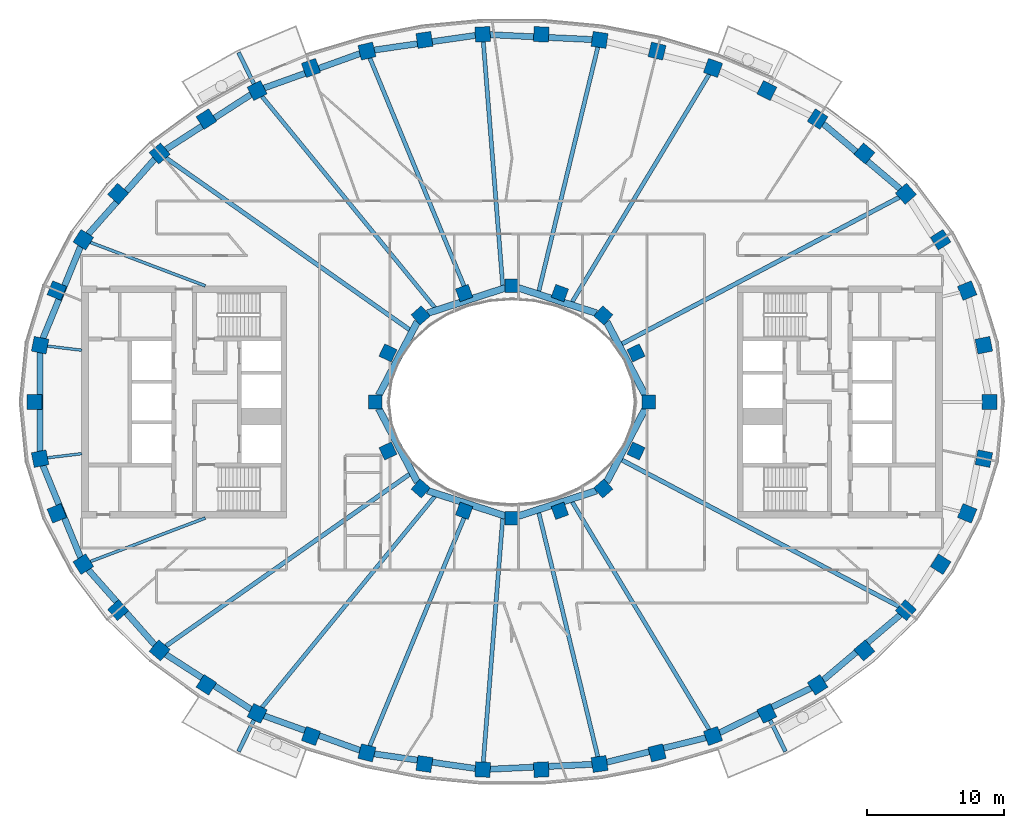
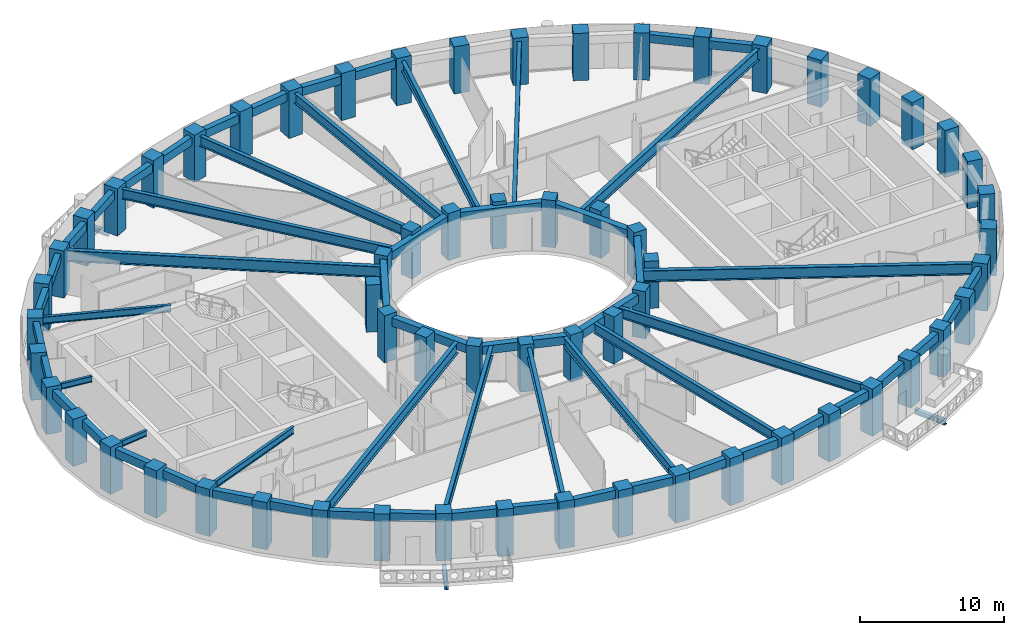
# One storey, part 1 of 15: 62 columns, 46 beams.
"""IFC4 building model written with IfcOpenShell, lengths in metres."""

import ifcopenshell
import ifcopenshell.guid

model = None  # the IFC model being written
_history = None  # IfcOwnerHistory: only IFC2X3 demands one
_inside = {}  # id of a spatial element -> (the spatial element, [elements in it])
_under = {}  # id of a project, library or spatial element -> (it, [spatial elements below it])
_declared = {}  # id of a project -> (the project, [libraries it declares])
_typed = {}  # id of a type object -> (the type object, [elements of that type])
_made_of = {}  # id of a material, layer set ... -> (it, [elements and type objects made of it])


def new_model(schema):
    """Start an empty IFC model of exactly this schema.

    Asked for "IFC4X3", IfcOpenShell would pick the latest addendum, in which some entities
    have other attributes; the version numbers below select the first issue.
    IFC2X3 requires an IfcOwnerHistory on every rooted entity: one is made here for all.
    """
    global model, _history
    if schema == "IFC4X3":
        model = ifcopenshell.file(schema_version=(4, 3, 0, 0))
    else:
        model = ifcopenshell.file(schema=schema)
    _inside.clear()
    _under.clear()
    _declared.clear()
    _typed.clear()
    _made_of.clear()
    _history = None
    if model.schema == "IFC2X3":
        org = make("IfcOrganization", Name="unknown")
        user = make(
            "IfcPersonAndOrganization",
            ThePerson=make("IfcPerson", FamilyName="unknown"),
            TheOrganization=org,
        )
        app = make(
            "IfcApplication",
            ApplicationDeveloper=org,
            Version="unknown",
            ApplicationFullName="unknown",
            ApplicationIdentifier="unknown",
        )
        _history = make(
            "IfcOwnerHistory",
            OwningUser=user,
            OwningApplication=app,
            ChangeAction="ADDED",
            CreationDate=0,
        )
    return model


def make(cls, **values):
    """One entity of the class cls with the attributes given. An attribute that is None is left unset."""
    return model.create_entity(
        cls, **{name: value for name, value in values.items() if value is not None}
    )


def rooted(cls, **values):
    """An entity with a GlobalId (a new one), such as an element, a storey or a relation."""
    return make(cls, GlobalId=ifcopenshell.guid.new(), OwnerHistory=_history, **values)


def si_unit(unit_type, name, prefix=None):
    """IfcSIUnit, for example si_unit("LENGTHUNIT", "METRE", prefix="MILLI")."""
    return make("IfcSIUnit", UnitType=unit_type, Prefix=prefix, Name=name)


def assignment(units):
    """IfcUnitAssignment: the units of a project."""
    return None if units is None else make("IfcUnitAssignment", Units=units)


def point(xyz):
    """IfcCartesianPoint."""
    return None if xyz is None else make("IfcCartesianPoint", Coordinates=xyz)


def direction(xyz):
    """IfcDirection."""
    return None if xyz is None else make("IfcDirection", DirectionRatios=xyz)


def frame(location, z_axis=None, x_axis=None):
    """IfcAxis2Placement3D, a coordinate frame: its origin and axes. An axis left out is left unset."""
    return make(
        "IfcAxis2Placement3D",
        Location=point(location),
        Axis=direction(z_axis),
        RefDirection=direction(x_axis),
    )


def frame_2d(location, x_axis=None):
    """IfcAxis2Placement2D, a coordinate frame in the plane: its origin and x axis."""
    return make(
        "IfcAxis2Placement2D", Location=point(location), RefDirection=direction(x_axis)
    )


def origin():
    """The frame at (0, 0, 0) with its axes left unset."""
    return frame((0.0, 0.0, 0.0))


def origin_2d():
    """The frame at (0, 0) in the plane with its x axis left unset."""
    return frame_2d((0.0, 0.0))


def place(relative_to, where):
    """IfcLocalPlacement: puts the frame where relative to a parent placement (None: the world)."""
    return make(
        "IfcLocalPlacement", PlacementRelTo=relative_to, RelativePlacement=where
    )


def context(
    kind, dimensions, precision=None, world=None, true_north=None, identifier=None
):
    """IfcGeometricRepresentationContext, for example the 3D "Model" context."""
    return make(
        "IfcGeometricRepresentationContext",
        ContextIdentifier=identifier,
        ContextType=kind,
        CoordinateSpaceDimension=dimensions,
        Precision=precision,
        WorldCoordinateSystem=world,
        TrueNorth=true_north,
    )


def subcontext(parent, identifier, kind, view, scale=None):
    """IfcGeometricRepresentationSubContext, for example "Body" below "Model"."""
    return make(
        "IfcGeometricRepresentationSubContext",
        ContextIdentifier=identifier,
        ContextType=kind,
        ParentContext=parent,
        TargetScale=scale,
        TargetView=view,
    )


def project(units=None, contexts=None):
    """IfcProject with its units and contexts."""
    return rooted(
        "IfcProject",
        Name="project",
        RepresentationContexts=contexts,
        UnitsInContext=assignment(units),
    )


def spatial(cls, under=None, at=None, **own):
    """A site, building, storey or space (cls), placed at a placement, below another one or the project."""
    s = rooted(cls, ObjectPlacement=at, **own)
    if under is not None:
        _under.setdefault(under.id(), (under, []))[1].append(s)
    return s


def profile(cls, at=None, kind="AREA", **sizes):
    """A parametric profile (cls). Its sizes go by their IFC names, for example OverallWidth=200.0."""
    return make(cls, ProfileType=kind, Position=at, **sizes)


def rectangle(**sizes):
    """IfcRectangleProfileDef."""
    return profile("IfcRectangleProfileDef", **sizes)


def i_section(**sizes):
    """IfcIShapeProfileDef."""
    return profile("IfcIShapeProfileDef", **sizes)


def extrude(swept, where, along, depth):
    """IfcExtrudedAreaSolid: the profile swept, set in the frame where, extruded along a direction by depth."""
    return make(
        "IfcExtrudedAreaSolid",
        SweptArea=swept,
        Position=where,
        ExtrudedDirection=direction(along),
        Depth=depth,
    )


def shape(context_of_items, identifier, shape_type, items):
    """IfcShapeRepresentation: the items that make up one representation, for example the "Body"."""
    return make(
        "IfcShapeRepresentation",
        ContextOfItems=context_of_items,
        RepresentationIdentifier=identifier,
        RepresentationType=shape_type,
        Items=items,
    )


def material(Name=None, Category=None):
    """IfcMaterial."""
    return make("IfcMaterial", Name=Name, Category=Category)


def material_profile(
    of_material, cross_section, Name=None, Category=None, Priority=None
):
    """IfcMaterialProfile: a cross section and its material."""
    return make(
        "IfcMaterialProfile",
        Name=Name,
        Material=of_material,
        Profile=cross_section,
        Priority=Priority,
        Category=Category,
    )


def profile_set(profiles, Name=None, composite=None):
    """IfcMaterialProfileSet."""
    return make(
        "IfcMaterialProfileSet",
        Name=Name,
        MaterialProfiles=profiles,
        CompositeProfile=composite,
    )


def made_of(thing, what):
    """Note that an element or type object is made of a material, layer set ...; save() writes the relation."""
    if what is not None:
        _made_of.setdefault(what.id(), (what, []))[1].append(thing)
    return thing


def type_object(cls, material=None, **own):
    """A type object (cls), such as IfcWallType, which elements share."""
    return made_of(rooted(cls, **own), material)


def element(
    cls,
    number,
    at=None,
    inside=None,
    cuts=None,
    type_object=None,
    material=None,
    context=None,
    identifier="Body",
    shape_type=None,
    held_by="IfcProductDefinitionShape",
    body=None,
    shapes=None,
    **own,
):
    """One element of the class cls, such as IfcWall. Its Tag is "e" and its number.

    at: its placement. inside: the storey or other place that contains it. cuts: it is an
    opening in that element (IfcRelVoidsElement). A single representation is given by context,
    identifier, shape_type and body (its items); several are given by shapes. held_by: the class
    of the entity that holds the representations. save() writes the other relations.
    """
    e = rooted(cls, Tag="e%d" % number, ObjectPlacement=at, **own)
    if body is not None:
        shapes = [shape(context, identifier, shape_type, body)]
    if shapes is not None:
        e.Representation = make(held_by, Representations=shapes)
    if inside is not None:
        _inside.setdefault(inside.id(), (inside, []))[1].append(e)
    if cuts is not None:
        rooted(
            "IfcRelVoidsElement", RelatingBuildingElement=cuts, RelatedOpeningElement=e
        )
    if type_object is not None:
        _typed.setdefault(type_object.id(), (type_object, []))[1].append(e)
    return made_of(e, material)


def aggregate(whole, parts):
    """IfcRelAggregates: a whole, such as a stair, and the parts it consists of."""
    return rooted("IfcRelAggregates", RelatingObject=whole, RelatedObjects=parts)


def save(model, path):
    """Write the relations noted so far, then the file.

    IfcRelAggregates (storeys below a building ...), IfcRelContainedInSpatialStructure (elements
    in a storey), IfcRelDefinesByType, IfcRelAssociatesMaterial and IfcRelDeclares: one each for
    every whole, place, type object, material and project.
    """
    for whole, parts in _under.values():
        aggregate(whole, parts)
    for where, things in _inside.values():
        rooted(
            "IfcRelContainedInSpatialStructure",
            RelatedElements=things,
            RelatingStructure=where,
        )
    for kind, things in _typed.values():
        rooted("IfcRelDefinesByType", RelatedObjects=things, RelatingType=kind)
    for what, things in _made_of.values():
        rooted("IfcRelAssociatesMaterial", RelatedObjects=things, RelatingMaterial=what)
    for by, libraries in _declared.values():
        rooted("IfcRelDeclares", RelatingContext=by, RelatedDefinitions=libraries)
    model.write(path)


model = new_model("IFC4")

# Units and contexts
model_context = context("Model", 3, precision=1e-05, world=origin(), true_north=direction((0.0, 1.0)))
body_context = subcontext(model_context, "Body", "Model", "MODEL_VIEW")
ifc_project = project(units=[si_unit("LENGTHUNIT", "METRE"), si_unit("AREAUNIT", "SQUARE_METRE"), si_unit("VOLUMEUNIT", "CUBIC_METRE"), si_unit("PLANEANGLEUNIT", "RADIAN"), si_unit("MASSUNIT", "GRAM", prefix="KILO")], contexts=[model_context])

# Site, building, storey
site_placement = place(None, origin())
site = spatial("IfcSite", under=ifc_project, at=site_placement, CompositionType="ELEMENT")
building_placement = place(site_placement, origin())
building = spatial("IfcBuilding", under=site, at=building_placement, Name="Noorbagh Ring Tower", CompositionType="ELEMENT")
storey_placement = place(building_placement, frame((0.0, 0.0, 253.5)))
storey = spatial("IfcBuildingStorey", under=building, at=storey_placement, Name="L53", CompositionType="ELEMENT", Elevation=253.5)

# Columns
ifc_material_1 = material(Name="Concrete C60/75", Category="concrete")
ifc_material_profile_1 = material_profile(ifc_material_1, rectangle(XDim=1.10009765625, YDim=1.10009765625, at=origin_2d()), Name="RC1100x1100")
ifc_profile_set_1 = profile_set([ifc_material_profile_1], Name="Concrete C60/75")
column_type_1 = type_object("IfcColumnType", Name="STR-COL-RC1100x1100-C60-75", PredefinedType="COLUMN", material=ifc_profile_set_1)
for number, where, z_axis, x_axis, name in (
    (1, (34.944580078125, 0.0, 0.0), (0.0, 0.0, 1.0), (0.0, 1.0, 0.0), "L53/col/R1-01"),
    (2, (34.52685546875, 4.150634765625, 0.0), (0.0, 0.0, 1.0), (-0.19723040178, 0.9803571638, 0.0), "L53/col/R1-02"),
    (3, (33.30517578125, 8.1494140625, 0.0), (0.0, 0.0, 1.0), (-0.378989499959, 0.925400971969, 0.0), "L53/col/R1-03"),
    (4, (31.364990234375, 11.87109375, 0.0), (0.0, 0.0, 1.0), (-0.535190403059, 0.844731455833, 0.0), "L53/col/R1-04"),
    (5, (28.81884765625, 15.23046875, 0.0), (0.0, 0.0, 1.0), (-0.662635642662, 0.748941923699, 0.0), "L53/col/R1-05"),
    (6, (25.78271484375, 18.180419921875, 0.0), (0.0, 0.0, 1.0), (-0.763035199656, 0.646356932419, 0.0), "L53/col/R1-06"),
    (7, (22.362060546875, 20.699951171875, 0.0), (0.0, 0.0, 1.0), (-0.840247639643, 0.542202825586, 0.0), "L53/col/R1-07"),
    (8, (18.646240234375, 22.785400390625, 0.0), (0.0, 0.0, 1.0), (-0.898399080868, 0.439180021741, 0.0), "L53/col/R1-08"),
    (9, (14.70947265625, 24.44091796875, 0.0), (0.0, 0.0, 1.0), (-0.941024726094, 0.338337797003, 0.0), "L53/col/R1-09"),
    (10, (10.61328125, 25.673583984375, 0.0), (0.0, 0.0, 1.0), (-0.970829360981, 0.239771457553, 0.0), "L53/col/R1-10"),
    (11, (6.4091796875, 26.49072265625, 0.0), (0.0, 0.0, 1.0), (-0.989713114048, 0.143066249975, 0.0), "L53/col/R1-11"),
    (12, (2.14306640625, 26.89794921875, 0.0), (0.0, 0.0, 1.0), (-0.998868731212, 0.047552684538, 0.0), "L53/col/R1-12"),
    (13, (-2.14306640625, 26.89794921875, 0.0), (0.0, 0.0, 1.0), (-0.998868731212, -0.047552684538, 0.0), "L53/col/R1-13"),
    (14, (-6.4091796875, 26.49072265625, 0.0), (0.0, 0.0, 1.0), (-0.989713114048, -0.143066249975, 0.0), "L53/col/R1-14"),
    (15, (-10.61328125, 25.673583984375, 0.0), (0.0, 0.0, 1.0), (-0.970829360981, -0.239771457553, 0.0), "L53/col/R1-15"),
    (16, (-14.70947265625, 24.44091796875, 0.0), (0.0, 0.0, 1.0), (-0.941024726094, -0.338337797003, 0.0), "L53/col/R1-16"),
    (17, (-18.646240234375, 22.785400390625, 0.0), (0.0, 0.0, 1.0), (-0.898399080868, -0.439180021741, 0.0), "L53/col/R1-17"),
    (18, (-22.362060546875, 20.699951171875, 0.0), (0.0, 0.0, 1.0), (-0.840247639643, -0.542202825586, 0.0), "L53/col/R1-18"),
    (19, (-25.78271484375, 18.180419921875, 0.0), (0.0, 0.0, 1.0), (-0.763035199656, -0.646356932419, 0.0), "L53/col/R1-19"),
    (20, (-28.81884765625, 15.23046875, 0.0), (0.0, 0.0, 1.0), (-0.662635642662, -0.748941923699, 0.0), "L53/col/R1-20"),
    (21, (-31.364990234375, 11.87109375, 0.0), (0.0, 0.0, 1.0), (-0.535190403059, -0.844731455833, 0.0), "L53/col/R1-21"),
    (22, (-33.30517578125, 8.1494140625, 0.0), (0.0, 0.0, 1.0), (-0.378989499959, -0.925400971969, 0.0), "L53/col/R1-22"),
    (23, (-34.52685546875, 4.150634765625, 0.0), (0.0, 0.0, 1.0), (-0.19723040178, -0.9803571638, 0.0), "L53/col/R1-23"),
    (24, (-34.944580078125, 0.0, 0.0), (0.0, 0.0, 1.0), (0.0, -1.0, 0.0), "L53/col/R1-24"),
    (25, (-34.52685546875, -4.150634765625, 0.0), (0.0, 0.0, 1.0), (0.19723040178, -0.9803571638, 0.0), "L53/col/R1-25"),
    (26, (-33.30517578125, -8.1494140625, 0.0), (0.0, 0.0, 1.0), (0.378989499959, -0.925400971969, 0.0), "L53/col/R1-26"),
    (27, (-31.364990234375, -11.87109375, 0.0), (0.0, 0.0, 1.0), (0.535190403059, -0.844731455833, 0.0), "L53/col/R1-27"),
    (28, (-28.81884765625, -15.23046875, 0.0), (0.0, 0.0, 1.0), (0.662635642662, -0.748941923699, 0.0), "L53/col/R1-28"),
    (29, (-25.78271484375, -18.180419921875, 0.0), (0.0, 0.0, 1.0), (0.763035199656, -0.646356932419, 0.0), "L53/col/R1-29"),
    (30, (-22.362060546875, -20.699951171875, 0.0), (0.0, 0.0, 1.0), (0.840247639643, -0.542202825586, 0.0), "L53/col/R1-30"),
    (31, (-18.646240234375, -22.785400390625, 0.0), (0.0, 0.0, 1.0), (0.898399080868, -0.439180021741, 0.0), "L53/col/R1-31"),
    (32, (-14.70947265625, -24.44091796875, 0.0), (0.0, 0.0, 1.0), (0.941024726094, -0.338337797003, 0.0), "L53/col/R1-32"),
    (33, (-10.61328125, -25.673583984375, 0.0), (0.0, 0.0, 1.0), (0.970829360981, -0.239771457553, 0.0), "L53/col/R1-33"),
    (34, (-6.4091796875, -26.49072265625, 0.0), (0.0, 0.0, 1.0), (0.989713114048, -0.143066249975, 0.0), "L53/col/R1-34"),
    (35, (-2.14306640625, -26.89794921875, 0.0), (0.0, 0.0, 1.0), (0.998868731212, -0.047552684538, 0.0), "L53/col/R1-35"),
    (36, (2.14306640625, -26.89794921875, 0.0), (0.0, 0.0, 1.0), (0.998868731212, 0.047552684538, 0.0), "L53/col/R1-36"),
    (37, (6.4091796875, -26.49072265625, 0.0), (0.0, 0.0, 1.0), (0.989713114048, 0.143066249975, 0.0), "L53/col/R1-37"),
    (38, (10.61328125, -25.673583984375, 0.0), (0.0, 0.0, 1.0), (0.970829360981, 0.239771457553, 0.0), "L53/col/R1-38"),
    (39, (14.70947265625, -24.44091796875, 0.0), (0.0, 0.0, 1.0), (0.941024726094, 0.338337797003, 0.0), "L53/col/R1-39"),
    (40, (18.646240234375, -22.785400390625, 0.0), (0.0, 0.0, 1.0), (0.898399080868, 0.439180021741, 0.0), "L53/col/R1-40"),
    (41, (22.362060546875, -20.699951171875, 0.0), (0.0, 0.0, 1.0), (0.840247639643, 0.542202825586, 0.0), "L53/col/R1-41"),
    (42, (25.78271484375, -18.180419921875, 0.0), (0.0, 0.0, 1.0), (0.763035199656, 0.646356932419, 0.0), "L53/col/R1-42"),
    (43, (28.81884765625, -15.23046875, 0.0), (0.0, 0.0, 1.0), (0.662635642662, 0.748941923699, 0.0), "L53/col/R1-43"),
    (44, (31.364990234375, -11.87109375, 0.0), (0.0, 0.0, 1.0), (0.535190403059, 0.844731455833, 0.0), "L53/col/R1-44"),
    (45, (33.30517578125, -8.1494140625, 0.0), (0.0, 0.0, 1.0), (0.378989499959, 0.925400971969, 0.0), "L53/col/R1-45"),
    (46, (34.52685546875, -4.150634765625, 0.0), (0.0, 0.0, 1.0), (0.19723040178, 0.9803571638, 0.0), "L53/col/R1-46"),
):
    element("IfcColumn", number, at=place(storey_placement, frame(where, z_axis=z_axis, x_axis=x_axis)), inside=storey, type_object=column_type_1, Name=name, PredefinedType="COLUMN", context=body_context, shape_type="SweptSolid", body=[
        extrude(rectangle(XDim=1.10009765625, YDim=1.10009765625, at=origin_2d()), origin(), (0.0, 0.0, 1.0), 4.0),
    ])
ifc_material_2 = material(Name="Concrete C60/75", Category="concrete")
ifc_material_profile_2 = material_profile(ifc_material_2, rectangle(XDim=1.0, YDim=1.0, at=origin_2d()), Name="RC1000x1000")
ifc_profile_set_2 = profile_set([ifc_material_profile_2], Name="Concrete C60/75")
column_type_2 = type_object("IfcColumnType", Name="STR-ICOL-RC1000x1000-C60-75", PredefinedType="COLUMN", material=ifc_profile_set_2)
for number, where, z_axis, x_axis, name in (
    (47, (10.00830078125, 0.0, 0.0), (0.0, 0.0, 1.0), (0.0, 1.0, 0.0), "L53/col/IR2-W01"),
    (48, (9.07568359375, 3.58837890625, 0.0), (0.0, 0.0, 1.0), (-0.428666979171, 0.903462573087, 0.0), "L53/col/IR2-W03"),
    (49, (6.68212890625, 6.333740234375, 0.0), (0.0, 0.0, 1.0), (-0.75102249095, 0.660276622399, 0.0), "L53/col/IR2-W05"),
    (50, (3.5009765625, 7.967041015625, 0.0), (0.0, 0.0, 1.0), (-0.939019578916, 0.343863679984, 0.0), "L53/col/IR2-W07"),
    (51, (0.0, 8.5029296875, 0.0), (0.0, 0.0, 1.0), (-1.0, 0.0, 0.0), "L53/col/IR2-W09"),
    (52, (-3.5009765625, 7.967041015625, 0.0), (0.0, 0.0, 1.0), (-0.939019578916, -0.343863679984, 0.0), "L53/col/IR2-W11"),
    (53, (-6.68212890625, 6.333740234375, 0.0), (0.0, 0.0, 1.0), (-0.75102249095, -0.660276622399, 0.0), "L53/col/IR2-W13"),
    (54, (-9.07568359375, 3.58837890625, 0.0), (0.0, 0.0, 1.0), (-0.428666979171, -0.903462573087, 0.0), "L53/col/IR2-W15"),
    (55, (-10.00830078125, 0.0, 0.0), (0.0, 0.0, 1.0), (0.0, -1.0, 0.0), "L53/col/IR2-W17"),
    (56, (-9.07568359375, -3.58837890625, 0.0), (0.0, 0.0, 1.0), (0.428666979171, -0.903462573087, 0.0), "L53/col/IR2-W19"),
    (57, (-6.68212890625, -6.333740234375, 0.0), (0.0, 0.0, 1.0), (0.75102249095, -0.660276622399, 0.0), "L53/col/IR2-W21"),
    (58, (-3.5009765625, -7.967041015625, 0.0), (0.0, 0.0, 1.0), (0.939019578916, -0.343863679984, 0.0), "L53/col/IR2-W23"),
    (59, (0.0, -8.5029296875, 0.0), (0.0, 0.0, 1.0), (1.0, 0.0, 0.0), "L53/col/IR2-W25"),
    (60, (3.5009765625, -7.967041015625, 0.0), (0.0, 0.0, 1.0), (0.939019578916, 0.343863679984, 0.0), "L53/col/IR2-W27"),
    (61, (6.68212890625, -6.333740234375, 0.0), (0.0, 0.0, 1.0), (0.75102249095, 0.660276622399, 0.0), "L53/col/IR2-W29"),
    (62, (9.07568359375, -3.58837890625, 0.0), (0.0, 0.0, 1.0), (0.428666979171, 0.903462573087, 0.0), "L53/col/IR2-W31"),
):
    element("IfcColumn", number, at=place(storey_placement, frame(where, z_axis=z_axis, x_axis=x_axis)), inside=storey, type_object=column_type_2, Name=name, PredefinedType="COLUMN", context=body_context, shape_type="SweptSolid", body=[
        extrude(rectangle(XDim=1.0, YDim=1.0, at=origin_2d()), origin(), (0.0, 0.0, 1.0), 4.0),
    ])

# Beams
ifc_material_3 = material(Name="Steel S355", Category="steel")
ifc_material_profile_3 = material_profile(ifc_material_3, i_section(OverallWidth=0.300048828125, OverallDepth=0.39990234375, WebThickness=0.013427734375, FlangeThickness=0.02392578125, FilletRadius=0.027099609375, at=origin_2d()), Name="HEB400")
ifc_profile_set_3 = profile_set([ifc_material_profile_3], Name="Steel S355")
beam_type_1 = type_object("IfcBeamType", Name="STR-BALCONY-BRACKET-HEB400", PredefinedType="BEAM", material=ifc_profile_set_3)
for number, where, z_axis, x_axis, name in (
    (63, (-18.879150390625, 23.261474609375, -0.5), (-0.439232236699, 0.898373553843, 0.0), (-0.898373553843, -0.439232236699, 0.0), "Balcony bracket beam BN05"),
    (64, (-18.879150390625, -23.261474609375, -0.5), (-0.439232236699, -0.898373553843, 0.0), (0.898373553843, -0.439232236699, 0.0), "Balcony bracket beam BS02"),
    (65, (18.879150390625, -23.261474609375, -0.5), (0.439232236699, -0.898373553843, 0.0), (0.898373553843, 0.439232236699, 0.0), "Balcony bracket beam BS05"),
):
    element("IfcBeam", number, at=place(storey_placement, frame(where, z_axis=z_axis, x_axis=x_axis)), inside=storey, type_object=beam_type_1, Name=name, PredefinedType="BEAM", context=body_context, shape_type="SweptSolid", body=[
        extrude(i_section(OverallWidth=0.300048828125, OverallDepth=0.39990234375, WebThickness=0.013427734375, FlangeThickness=0.02392578125, FilletRadius=0.027099609375, at=origin_2d()), origin(), (0.0, 0.0, 1.0), 2.5751953125),
    ])
ifc_material_4 = material(Name="Steel S355", Category="steel")
ifc_material_profile_4 = material_profile(ifc_material_4, i_section(OverallWidth=0.199951171875, OverallDepth=0.5, WebThickness=0.01025390625, FlangeThickness=0.01611328125, FilletRadius=0.02099609375, at=origin_2d()), Name="IPE500")
ifc_profile_set_4 = profile_set([ifc_material_profile_4], Name="Steel S355")
beam_type_2 = type_object("IfcBeamType", Name="STR-RAD-IPE500", PredefinedType="BEAM", material=ifc_profile_set_4)
for number, where, z_axis, x_axis, name in (
    (66, (-33.998779296875, 4.087158203125, 3.449951171875), (0.992853137385, -0.119342564013, 0.0), (0.119342564013, 0.992853137385, 0.0), "L53/bm/RD23"),
    (67, (-33.998779296875, -4.087158203125, 3.449951171875), (0.992853137385, 0.119342564013, 0.0), (-0.119342564013, 0.992853137385, 0.0), "L53/bm/RD25"),
):
    element("IfcBeam", number, at=place(storey_placement, frame(where, z_axis=z_axis, x_axis=x_axis)), inside=storey, type_object=beam_type_2, Name=name, PredefinedType="BEAM", context=body_context, shape_type="SweptSolid", body=[
        extrude(i_section(OverallWidth=0.199951171875, OverallDepth=0.5, WebThickness=0.01025390625, FlangeThickness=0.01611328125, FilletRadius=0.02099609375, at=origin_2d()), origin(), (0.0, 0.0, 1.0), 2.53662109375),
    ])
ifc_material_5 = material(Name="Steel S355", Category="steel")
ifc_material_profile_5 = material_profile(ifc_material_5, i_section(OverallWidth=0.219970703125, OverallDepth=0.60009765625, WebThickness=0.011962890625, FlangeThickness=0.01904296875, FilletRadius=0.02392578125, at=origin_2d()), Name="IPE600")
ifc_profile_set_5 = profile_set([ifc_material_profile_5], Name="Steel S355")
beam_type_3 = type_object("IfcBeamType", Name="STR-RAD-IPE600", PredefinedType="BEAM", material=ifc_profile_set_5)
for number, where, z_axis, x_axis, name in (
    (68, (-30.858642578125, 11.67919921875, 3.39990234375), (0.935259323835, -0.353963270948, 0.0), (0.353963270948, 0.935259323835, 0.0), "L53/bm/RD21"),
    (69, (-30.858642578125, -11.67919921875, 3.39990234375), (0.935259323835, 0.353963270948, 0.0), (-0.353963270948, 0.935259323835, 0.0), "L53/bm/RD27"),
):
    element("IfcBeam", number, at=place(storey_placement, frame(where, z_axis=z_axis, x_axis=x_axis)), inside=storey, type_object=beam_type_3, Name=name, PredefinedType="BEAM", context=body_context, shape_type="SweptSolid", body=[
        extrude(i_section(OverallWidth=0.219970703125, OverallDepth=0.60009765625, WebThickness=0.011962890625, FlangeThickness=0.01904296875, FilletRadius=0.02392578125, at=origin_2d()), origin(), (0.0, 0.0, 1.0), 9.001708984375),
    ])
ifc_material_6 = material(Name="Steel S355", Category="steel")
ifc_material_profile_6 = material_profile(ifc_material_6, i_section(OverallWidth=0.300048828125, OverallDepth=0.85009765625, WebThickness=0.013916015625, FlangeThickness=0.028076171875, at=origin_2d()), Name="PG850x300x14x28")
ifc_profile_set_6 = profile_set([ifc_material_profile_6], Name="Steel S355")
beam_type_4 = type_object("IfcBeamType", Name="STR-RAD-PG850x300x14x28", PredefinedType="BEAM", material=ifc_profile_set_6)
beam_1_placement = place(storey_placement, frame((14.4306640625, 23.9775390625, 3.27490234375), z_axis=(-0.515652889643, -0.856797582514, 0.0), x_axis=(0.856797582514, -0.515652889643, 0.0)))
element("IfcBeam", 70, at=beam_1_placement, inside=storey, type_object=beam_type_4, Name="L53/bm/RD09", PredefinedType="BEAM", context=body_context, shape_type="SweptSolid", body=[
    extrude(i_section(OverallWidth=0.300048828125, OverallDepth=0.85009765625, WebThickness=0.013916015625, FlangeThickness=0.028076171875, at=origin_2d()), origin(), (0.0, 0.0, 1.0), 19.4462890625),
])
beam_2_placement = place(storey_placement, frame((6.283935546875, 25.973388671875, 3.27490234375), z_axis=(-0.235149899609, -0.971959116791, 0.0), x_axis=(0.971959116791, -0.235149899609, 0.0)))
element("IfcBeam", 71, at=beam_2_placement, inside=storey, type_object=beam_type_4, Name="L53/bm/RD11", PredefinedType="BEAM", context=body_context, shape_type="SweptSolid", body=[
    extrude(i_section(OverallWidth=0.300048828125, OverallDepth=0.85009765625, WebThickness=0.013916015625, FlangeThickness=0.028076171875, at=origin_2d()), origin(), (0.0, 0.0, 1.0), 18.380859375),
])
beam_3_placement = place(storey_placement, frame((-2.10107421875, 26.369384765625, 3.27490234375), z_axis=(0.079428656786, -0.996840553189, 0.0), x_axis=(0.996840553189, 0.079428656786, 0.0)))
element("IfcBeam", 72, at=beam_3_placement, inside=storey, type_object=beam_type_4, Name="L53/bm/RD13", PredefinedType="BEAM", context=body_context, shape_type="SweptSolid", body=[
    extrude(i_section(OverallWidth=0.300048828125, OverallDepth=0.85009765625, WebThickness=0.013916015625, FlangeThickness=0.028076171875, at=origin_2d()), origin(), (0.0, 0.0, 1.0), 17.9013671875),
])
beam_4_placement = place(storey_placement, frame((-10.408447265625, 25.177978515625, 3.27490234375), z_axis=(0.382042222752, -0.924144869614, 0.0), x_axis=(0.924144869614, 0.382042222752, 0.0)))
element("IfcBeam", 73, at=beam_4_placement, inside=storey, type_object=beam_type_4, Name="L53/bm/RD15", PredefinedType="BEAM", context=body_context, shape_type="SweptSolid", body=[
    extrude(i_section(OverallWidth=0.300048828125, OverallDepth=0.85009765625, WebThickness=0.013916015625, FlangeThickness=0.028076171875, at=origin_2d()), origin(), (0.0, 0.0, 1.0), 18.901611328125),
])
for number, where, z_axis, x_axis, name in (
    (74, (-18.301025390625, 22.363525390625, 3.27490234375), (0.633313689008, -0.773895194012, 0.0), (0.773895194012, 0.633313689008, 0.0), "L53/bm/RD17"),
    (75, (-18.301025390625, -22.363525390625, 3.27490234375), (0.633313689008, 0.773895194012, 0.0), (-0.773895194012, 0.633313689008, 0.0), "L53/bm/RD31"),
):
    element("IfcBeam", number, at=place(storey_placement, frame(where, z_axis=z_axis, x_axis=x_axis)), inside=storey, type_object=beam_type_4, Name=name, PredefinedType="BEAM", context=body_context, shape_type="SweptSolid", body=[
        extrude(i_section(OverallWidth=0.300048828125, OverallDepth=0.85009765625, WebThickness=0.013916015625, FlangeThickness=0.028076171875, at=origin_2d()), origin(), (0.0, 0.0, 1.0), 19.968017578125),
    ])
beam_5_placement = place(storey_placement, frame((-10.408447265625, -25.177978515625, 3.27490234375), z_axis=(0.382042222752, 0.924144869614, 0.0), x_axis=(-0.924144869614, 0.382042222752, 0.0)))
element("IfcBeam", 76, at=beam_5_placement, inside=storey, type_object=beam_type_4, Name="L53/bm/RD33", PredefinedType="BEAM", context=body_context, shape_type="SweptSolid", body=[
    extrude(i_section(OverallWidth=0.300048828125, OverallDepth=0.85009765625, WebThickness=0.013916015625, FlangeThickness=0.028076171875, at=origin_2d()), origin(), (0.0, 0.0, 1.0), 18.901611328125),
])
beam_6_placement = place(storey_placement, frame((-2.10107421875, -26.369384765625, 3.27490234375), z_axis=(0.079428656786, 0.996840553189, 0.0), x_axis=(-0.996840553189, 0.079428656786, 0.0)))
element("IfcBeam", 77, at=beam_6_placement, inside=storey, type_object=beam_type_4, Name="L53/bm/RD35", PredefinedType="BEAM", context=body_context, shape_type="SweptSolid", body=[
    extrude(i_section(OverallWidth=0.300048828125, OverallDepth=0.85009765625, WebThickness=0.013916015625, FlangeThickness=0.028076171875, at=origin_2d()), origin(), (0.0, 0.0, 1.0), 17.9013671875),
])
beam_7_placement = place(storey_placement, frame((6.283935546875, -25.973388671875, 3.27490234375), z_axis=(-0.235149899609, 0.971959116791, 0.0), x_axis=(-0.971959116791, -0.235149899609, 0.0)))
element("IfcBeam", 78, at=beam_7_placement, inside=storey, type_object=beam_type_4, Name="L53/bm/RD37", PredefinedType="BEAM", context=body_context, shape_type="SweptSolid", body=[
    extrude(i_section(OverallWidth=0.300048828125, OverallDepth=0.85009765625, WebThickness=0.013916015625, FlangeThickness=0.028076171875, at=origin_2d()), origin(), (0.0, 0.0, 1.0), 18.380859375),
])
beam_8_placement = place(storey_placement, frame((14.4306640625, -23.9775390625, 3.27490234375), z_axis=(-0.515652889643, 0.856797582514, 0.0), x_axis=(-0.856797582514, -0.515652889643, 0.0)))
element("IfcBeam", 79, at=beam_8_placement, inside=storey, type_object=beam_type_4, Name="L53/bm/RD39", PredefinedType="BEAM", context=body_context, shape_type="SweptSolid", body=[
    extrude(i_section(OverallWidth=0.300048828125, OverallDepth=0.85009765625, WebThickness=0.013916015625, FlangeThickness=0.028076171875, at=origin_2d()), origin(), (0.0, 0.0, 1.0), 19.4462890625),
])
ifc_material_7 = material(Name="Steel S355", Category="steel")
ifc_material_profile_7 = material_profile(ifc_material_7, i_section(OverallWidth=0.320068359375, OverallDepth=0.949951171875, WebThickness=0.01611328125, FlangeThickness=0.030029296875, at=origin_2d()), Name="PG950x320x16x30")
ifc_profile_set_7 = profile_set([ifc_material_profile_7], Name="Steel S355")
beam_type_5 = type_object("IfcBeamType", Name="STR-RAD-PG950x320x16x30", PredefinedType="BEAM", material=ifc_profile_set_7)
beam_9_placement = place(storey_placement, frame((28.336181640625, 14.975341796875, 3.22509765625), z_axis=(-0.884128075717, -0.467244631567, 0.0), x_axis=(0.467244631567, -0.884128075717, 0.0)))
element("IfcBeam", 80, at=beam_9_placement, inside=storey, type_object=beam_type_5, Name="L53/bm/RD05", PredefinedType="BEAM", context=body_context, shape_type="SweptSolid", body=[
    extrude(i_section(OverallWidth=0.320068359375, OverallDepth=0.949951171875, WebThickness=0.01611328125, FlangeThickness=0.030029296875, at=origin_2d()), origin(), (0.0, 0.0, 1.0), 22.959228515625),
])
for number, where, z_axis, x_axis, name in (
    (81, (-25.334716796875, 17.864501953125, 3.22509765625), (0.81725475763, -0.576276549176, 0.0), (0.576276549176, 0.81725475763, 0.0), "L53/bm/RD19"),
    (82, (-25.334716796875, -17.864501953125, 3.22509765625), (0.81725475763, 0.576276549176, 0.0), (-0.576276549176, 0.81725475763, 0.0), "L53/bm/RD29"),
):
    element("IfcBeam", number, at=place(storey_placement, frame(where, z_axis=z_axis, x_axis=x_axis)), inside=storey, type_object=beam_type_5, Name=name, PredefinedType="BEAM", context=body_context, shape_type="SweptSolid", body=[
        extrude(i_section(OverallWidth=0.320068359375, OverallDepth=0.949951171875, WebThickness=0.01611328125, FlangeThickness=0.030029296875, at=origin_2d()), origin(), (0.0, 0.0, 1.0), 21.830810546875),
    ])
beam_10_placement = place(storey_placement, frame((28.336181640625, -14.975341796875, 3.22509765625), z_axis=(-0.884128075717, 0.467244631567, 0.0), x_axis=(-0.467244631567, -0.884128075717, 0.0)))
element("IfcBeam", 83, at=beam_10_placement, inside=storey, type_object=beam_type_5, Name="L53/bm/RD43", PredefinedType="BEAM", context=body_context, shape_type="SweptSolid", body=[
    extrude(i_section(OverallWidth=0.320068359375, OverallDepth=0.949951171875, WebThickness=0.01611328125, FlangeThickness=0.030029296875, at=origin_2d()), origin(), (0.0, 0.0, 1.0), 22.959228515625),
])
ifc_material_8 = material(Name="Concrete C40/50", Category="concrete")
ifc_material_profile_8 = material_profile(ifc_material_8, rectangle(XDim=0.5, YDim=0.699951171875, at=origin_2d()), Name="RC500x700")
ifc_profile_set_8 = profile_set([ifc_material_profile_8], Name="Concrete C40/50")
beam_type_6 = type_object("IfcBeamType", Name="STR-RB-RC500x700-C40-50", PredefinedType="BEAM", material=ifc_profile_set_8)
beam_11_placement = place(storey_placement, frame((9.755126953125, 0.482177734375, 3.35009765625), z_axis=(-0.464928900722, 0.885348020427, 0.0), x_axis=(-0.885348020427, -0.464928900722, 0.0)))
element("IfcBeam", 84, at=beam_11_placement, inside=storey, type_object=beam_type_6, Name="L53/bm/RG01", PredefinedType="BEAM", context=body_context, shape_type="SweptSolid", body=[
    extrude(rectangle(XDim=0.5, YDim=0.699951171875, at=origin_2d()), origin(), (0.0, 0.0, 1.0), 6.093994140625),
])
for number, where, z_axis, x_axis, name in (
    (85, (6.183349609375, 6.495849609375, 3.35009765625), (-0.951154000484, 0.30871680771, 0.0), (-0.30871680771, -0.951154000484, 0.0), "L53/bm/RG03"),
    (86, (-0.48095703125, 8.3466796875, 3.35009765625), (-0.951154000484, -0.30871680771, 0.0), (0.30871680771, -0.951154000484, 0.0), "L53/bm/RG05"),
):
    element("IfcBeam", number, at=place(storey_placement, frame(where, z_axis=z_axis, x_axis=x_axis)), inside=storey, type_object=beam_type_6, Name=name, PredefinedType="BEAM", context=body_context, shape_type="SweptSolid", body=[
        extrude(rectangle(XDim=0.5, YDim=0.699951171875, at=origin_2d()), origin(), (0.0, 0.0, 1.0), 5.9951171875),
    ])
for number, where, z_axis, x_axis, name in (
    (87, (-6.921875, 5.87744140625, 3.35009765625), (-0.464928900722, -0.885348020427, 0.0), (0.885348020427, -0.464928900722, 0.0), "L53/bm/RG07"),
    (88, (-9.755126953125, -0.482177734375, 3.35009765625), (0.464928900722, -0.885348020427, 0.0), (0.885348020427, 0.464928900722, 0.0), "L53/bm/RG09"),
):
    element("IfcBeam", number, at=place(storey_placement, frame(where, z_axis=z_axis, x_axis=x_axis)), inside=storey, type_object=beam_type_6, Name=name, PredefinedType="BEAM", context=body_context, shape_type="SweptSolid", body=[
        extrude(rectangle(XDim=0.5, YDim=0.699951171875, at=origin_2d()), origin(), (0.0, 0.0, 1.0), 6.093994140625),
    ])
for number, where, z_axis, x_axis, name in (
    (89, (-6.183349609375, -6.495849609375, 3.35009765625), (0.951154000484, -0.30871680771, 0.0), (0.30871680771, 0.951154000484, 0.0), "L53/bm/RG11"),
    (90, (0.48095703125, -8.3466796875, 3.35009765625), (0.951154000484, 0.30871680771, 0.0), (-0.30871680771, 0.951154000484, 0.0), "L53/bm/RG13"),
):
    element("IfcBeam", number, at=place(storey_placement, frame(where, z_axis=z_axis, x_axis=x_axis)), inside=storey, type_object=beam_type_6, Name=name, PredefinedType="BEAM", context=body_context, shape_type="SweptSolid", body=[
        extrude(rectangle(XDim=0.5, YDim=0.699951171875, at=origin_2d()), origin(), (0.0, 0.0, 1.0), 5.9951171875),
    ])
beam_12_placement = place(storey_placement, frame((6.921875, -5.87744140625, 3.35009765625), z_axis=(0.464928900722, 0.885348020427, 0.0), x_axis=(-0.885348020427, 0.464928900722, 0.0)))
element("IfcBeam", 91, at=beam_12_placement, inside=storey, type_object=beam_type_6, Name="L53/bm/RG15", PredefinedType="BEAM", context=body_context, shape_type="SweptSolid", body=[
    extrude(rectangle(XDim=0.5, YDim=0.699951171875, at=origin_2d()), origin(), (0.0, 0.0, 1.0), 6.093994140625),
])
ifc_material_9 = material(Name="Concrete C40/50", Category="concrete")
ifc_material_profile_9 = material_profile(ifc_material_9, rectangle(XDim=0.449951171875, YDim=0.699951171875, at=origin_2d()), Name="RC450x700")
ifc_profile_set_9 = profile_set([ifc_material_profile_9], Name="Concrete C40/50")
beam_type_7 = type_object("IfcBeamType", Name="STR-SB-RC450x700-C40-50", PredefinedType="BEAM", material=ifc_profile_set_9)
beam_13_placement = place(storey_placement, frame((28.41015625, 15.57666015625, 3.35009765625), z_axis=(-0.763041647575, 0.646349320465, 0.0), x_axis=(-0.646349320465, -0.763041647575, 0.0)))
element("IfcBeam", 92, at=beam_13_placement, inside=storey, type_object=beam_type_7, Name="L53/bm/SP05", PredefinedType="BEAM", context=body_context, shape_type="SweptSolid", body=[
    extrude(rectangle(XDim=0.449951171875, YDim=0.699951171875, at=origin_2d()), origin(), (0.0, 0.0, 1.0), 7.3916015625),
])
beam_14_placement = place(storey_placement, frame((5.877197265625, 26.51611328125, 3.35009765625), z_axis=(-0.998869095319, 0.047545035672, 0.0), x_axis=(-0.047545035672, -0.998869095319, 0.0)))
element("IfcBeam", 93, at=beam_14_placement, inside=storey, type_object=beam_type_7, Name="L53/bm/SP11", PredefinedType="BEAM", context=body_context, shape_type="SweptSolid", body=[
    extrude(rectangle(XDim=0.449951171875, YDim=0.699951171875, at=origin_2d()), origin(), (0.0, 0.0, 1.0), 7.4970703125),
])
beam_15_placement = place(storey_placement, frame((-2.670166015625, 26.82177734375, 3.35009765625), z_axis=(-0.989712214626, -0.143072471915, 0.0), x_axis=(0.143072471915, -0.989712214626, 0.0)))
element("IfcBeam", 94, at=beam_15_placement, inside=storey, type_object=beam_type_7, Name="L53/bm/SP13", PredefinedType="BEAM", context=body_context, shape_type="SweptSolid", body=[
    extrude(rectangle(XDim=0.449951171875, YDim=0.699951171875, at=origin_2d()), origin(), (0.0, 0.0, 1.0), 7.492919921875),
])
beam_16_placement = place(storey_placement, frame((-11.11474609375, 25.493408203125, 3.35009765625), z_axis=(-0.941021072028, -0.338347959947, 0.0), x_axis=(0.338347959947, -0.941021072028, 0.0)))
element("IfcBeam", 95, at=beam_16_placement, inside=storey, type_object=beam_type_7, Name="L53/bm/SP15", PredefinedType="BEAM", context=body_context, shape_type="SweptSolid", body=[
    extrude(rectangle(XDim=0.449951171875, YDim=0.699951171875, at=origin_2d()), origin(), (0.0, 0.0, 1.0), 7.470458984375),
])
beam_17_placement = place(storey_placement, frame((-19.094970703125, 22.495849609375, 3.35009765625), z_axis=(-0.840248806946, -0.542201016622, 0.0), x_axis=(0.542201016622, -0.840248806946, 0.0)))
element("IfcBeam", 96, at=beam_17_placement, inside=storey, type_object=beam_type_7, Name="L53/bm/SP17", PredefinedType="BEAM", context=body_context, shape_type="SweptSolid", body=[
    extrude(rectangle(XDim=0.449951171875, YDim=0.699951171875, at=origin_2d()), origin(), (0.0, 0.0, 1.0), 7.424560546875),
])
beam_18_placement = place(storey_placement, frame((-26.1376953125, 17.779052734375, 3.35009765625), z_axis=(-0.662632637862, -0.748944582222, 0.0), x_axis=(0.748944582222, -0.662632637862, 0.0)))
element("IfcBeam", 97, at=beam_18_placement, inside=storey, type_object=beam_type_7, Name="L53/bm/SP19", PredefinedType="BEAM", context=body_context, shape_type="SweptSolid", body=[
    extrude(rectangle(XDim=0.449951171875, YDim=0.699951171875, at=origin_2d()), origin(), (0.0, 0.0, 1.0), 7.3515625),
])
beam_19_placement = place(storey_placement, frame((-31.569091796875, 11.37255859375, 3.35009765625), z_axis=(-0.378980930271, -0.92540448156, 0.0), x_axis=(0.92540448156, -0.378980930271, 0.0)))
element("IfcBeam", 98, at=beam_19_placement, inside=storey, type_object=beam_type_7, Name="L53/bm/SP21", PredefinedType="BEAM", context=body_context, shape_type="SweptSolid", body=[
    extrude(rectangle(XDim=0.449951171875, YDim=0.699951171875, at=origin_2d()), origin(), (0.0, 0.0, 1.0), 7.263916015625),
])
beam_20_placement = place(storey_placement, frame((-34.52685546875, 3.609619140625, 3.35009765625), z_axis=(0.0, -1.0, 0.0), x_axis=(1.0, 0.0, 0.0)))
element("IfcBeam", 99, at=beam_20_placement, inside=storey, type_object=beam_type_7, Name="L53/bm/SP23", PredefinedType="BEAM", context=body_context, shape_type="SweptSolid", body=[
    extrude(rectangle(XDim=0.449951171875, YDim=0.699951171875, at=origin_2d()), origin(), (0.0, 0.0, 1.0), 7.21923828125),
])
beam_21_placement = place(storey_placement, frame((-34.322021484375, -4.650390625, 3.35009765625), z_axis=(0.378980930271, -0.92540448156, 0.0), x_axis=(0.92540448156, 0.378980930271, 0.0)))
element("IfcBeam", 100, at=beam_21_placement, inside=storey, type_object=beam_type_7, Name="L53/bm/SP25", PredefinedType="BEAM", context=body_context, shape_type="SweptSolid", body=[
    extrude(rectangle(XDim=0.449951171875, YDim=0.699951171875, at=origin_2d()), origin(), (0.0, 0.0, 1.0), 7.263916015625),
])
beam_22_placement = place(storey_placement, frame((-31.009033203125, -12.273193359375, 3.35009765625), z_axis=(0.662632637862, -0.748944582222, 0.0), x_axis=(0.748944582222, 0.662632637862, 0.0)))
element("IfcBeam", 101, at=beam_22_placement, inside=storey, type_object=beam_type_7, Name="L53/bm/SP27", PredefinedType="BEAM", context=body_context, shape_type="SweptSolid", body=[
    extrude(rectangle(XDim=0.449951171875, YDim=0.699951171875, at=origin_2d()), origin(), (0.0, 0.0, 1.0), 7.3515625),
])
beam_23_placement = place(storey_placement, frame((-25.33349609375, -18.47021484375, 3.35009765625), z_axis=(0.840248806946, -0.542201016622, 0.0), x_axis=(0.542201016622, 0.840248806946, 0.0)))
element("IfcBeam", 102, at=beam_23_placement, inside=storey, type_object=beam_type_7, Name="L53/bm/SP29", PredefinedType="BEAM", context=body_context, shape_type="SweptSolid", body=[
    extrude(rectangle(XDim=0.449951171875, YDim=0.699951171875, at=origin_2d()), origin(), (0.0, 0.0, 1.0), 7.424560546875),
])
beam_24_placement = place(storey_placement, frame((-18.14453125, -22.9658203125, 3.35009765625), z_axis=(0.941021072028, -0.338347959947, 0.0), x_axis=(0.338347959947, 0.941021072028, 0.0)))
element("IfcBeam", 103, at=beam_24_placement, inside=storey, type_object=beam_type_7, Name="L53/bm/SP31", PredefinedType="BEAM", context=body_context, shape_type="SweptSolid", body=[
    extrude(rectangle(XDim=0.449951171875, YDim=0.699951171875, at=origin_2d()), origin(), (0.0, 0.0, 1.0), 7.470458984375),
])
beam_25_placement = place(storey_placement, frame((-10.0859375, -25.749755859375, 3.35009765625), z_axis=(0.989712214626, -0.143072471915, 0.0), x_axis=(0.143072471915, 0.989712214626, 0.0)))
element("IfcBeam", 104, at=beam_25_placement, inside=storey, type_object=beam_type_7, Name="L53/bm/SP33", PredefinedType="BEAM", context=body_context, shape_type="SweptSolid", body=[
    extrude(rectangle(XDim=0.449951171875, YDim=0.699951171875, at=origin_2d()), origin(), (0.0, 0.0, 1.0), 7.492919921875),
])
beam_26_placement = place(storey_placement, frame((-1.611328125, -26.87255859375, 3.35009765625), z_axis=(0.998869095319, 0.047545035672, 0.0), x_axis=(-0.047545035672, 0.998869095319, 0.0)))
element("IfcBeam", 105, at=beam_26_placement, inside=storey, type_object=beam_type_7, Name="L53/bm/SP35", PredefinedType="BEAM", context=body_context, shape_type="SweptSolid", body=[
    extrude(rectangle(XDim=0.449951171875, YDim=0.699951171875, at=origin_2d()), origin(), (0.0, 0.0, 1.0), 7.4970703125),
])
beam_27_placement = place(storey_placement, frame((6.926513671875, -26.363037109375, 3.35009765625), z_axis=(0.970829382675, 0.239771369713, 0.0), x_axis=(-0.239771369713, 0.970829382675, 0.0)))
element("IfcBeam", 106, at=beam_27_placement, inside=storey, type_object=beam_type_7, Name="L53/bm/SP37", PredefinedType="BEAM", context=body_context, shape_type="SweptSolid", body=[
    extrude(rectangle(XDim=0.449951171875, YDim=0.699951171875, at=origin_2d()), origin(), (0.0, 0.0, 1.0), 7.48388671875),
])
beam_28_placement = place(storey_placement, frame((15.188720703125, -24.20654296875, 3.35009765625), z_axis=(0.898395566206, 0.43918721136, 0.0), x_axis=(-0.43918721136, 0.898395566206, 0.0)))
element("IfcBeam", 107, at=beam_28_placement, inside=storey, type_object=beam_type_7, Name="L53/bm/SP39", PredefinedType="BEAM", context=body_context, shape_type="SweptSolid", body=[
    extrude(rectangle(XDim=0.449951171875, YDim=0.699951171875, at=origin_2d()), origin(), (0.0, 0.0, 1.0), 7.45068359375),
])
beam_29_placement = place(storey_placement, frame((22.77001953125, -20.354248046875, 3.35009765625), z_axis=(0.763041647575, 0.646349320465, 0.0), x_axis=(-0.646349320465, 0.763041647575, 0.0)))
element("IfcBeam", 108, at=beam_29_placement, inside=storey, type_object=beam_type_7, Name="L53/bm/SP41", PredefinedType="BEAM", context=body_context, shape_type="SweptSolid", body=[
    extrude(rectangle(XDim=0.449951171875, YDim=0.699951171875, at=origin_2d()), origin(), (0.0, 0.0, 1.0), 7.3916015625),
])

save(model, "model.ifc")
